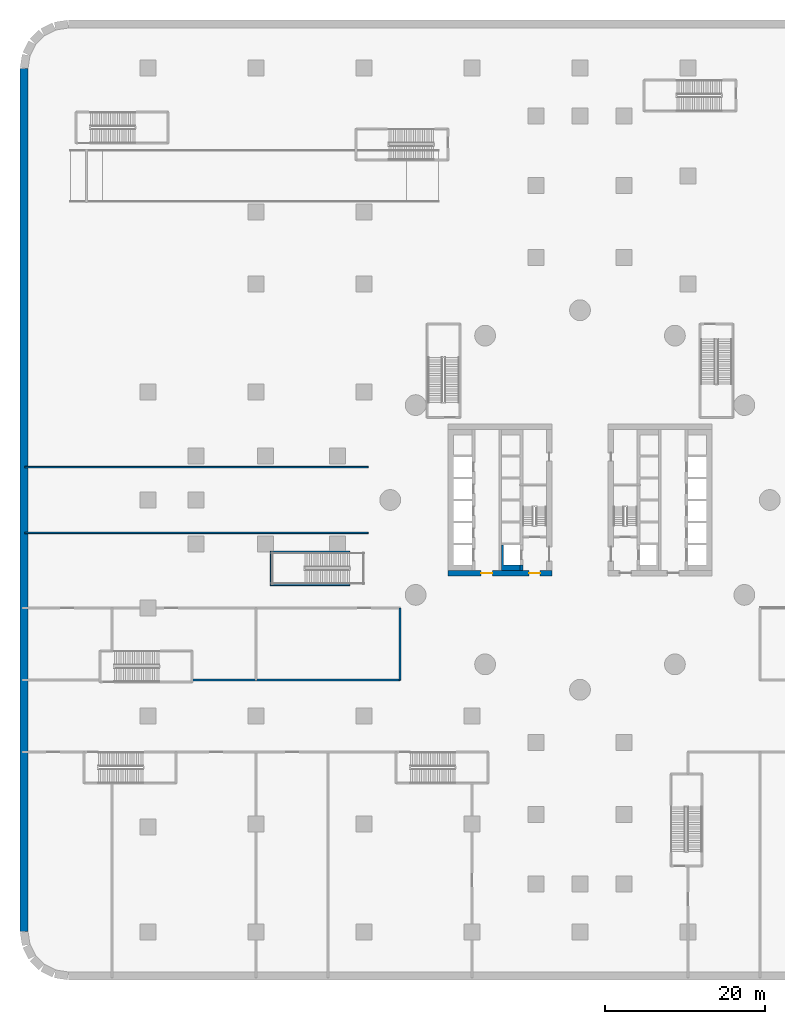
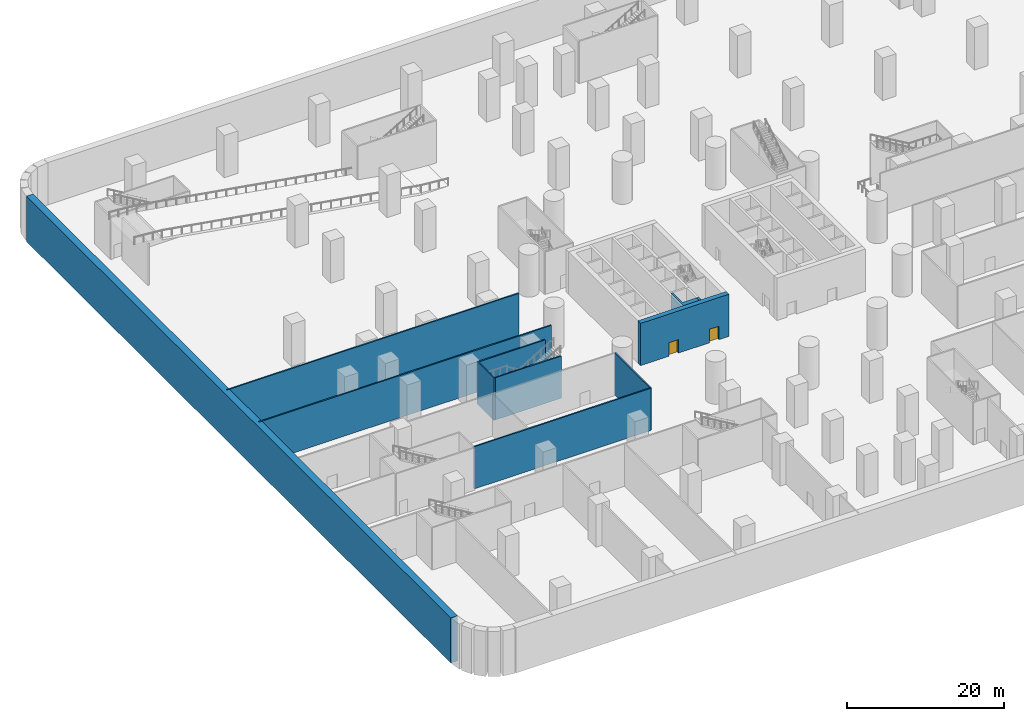
# One storey, part 3 of 30: 11 walls, 2 doors, 2 openings.
"""IFC4 building model written with IfcOpenShell, lengths in metres."""

import ifcopenshell
import ifcopenshell.guid

model = None  # the IFC model being written
_history = None  # IfcOwnerHistory: only IFC2X3 demands one
_inside = {}  # id of a spatial element -> (the spatial element, [elements in it])
_under = {}  # id of a project, library or spatial element -> (it, [spatial elements below it])
_declared = {}  # id of a project -> (the project, [libraries it declares])
_typed = {}  # id of a type object -> (the type object, [elements of that type])
_made_of = {}  # id of a material, layer set ... -> (it, [elements and type objects made of it])


def new_model(schema):
    """Start an empty IFC model of exactly this schema.

    Asked for "IFC4X3", IfcOpenShell would pick the latest addendum, in which some entities
    have other attributes; the version numbers below select the first issue.
    IFC2X3 requires an IfcOwnerHistory on every rooted entity: one is made here for all.
    """
    global model, _history
    if schema == "IFC4X3":
        model = ifcopenshell.file(schema_version=(4, 3, 0, 0))
    else:
        model = ifcopenshell.file(schema=schema)
    _inside.clear()
    _under.clear()
    _declared.clear()
    _typed.clear()
    _made_of.clear()
    _history = None
    if model.schema == "IFC2X3":
        org = make("IfcOrganization", Name="unknown")
        user = make(
            "IfcPersonAndOrganization",
            ThePerson=make("IfcPerson", FamilyName="unknown"),
            TheOrganization=org,
        )
        app = make(
            "IfcApplication",
            ApplicationDeveloper=org,
            Version="unknown",
            ApplicationFullName="unknown",
            ApplicationIdentifier="unknown",
        )
        _history = make(
            "IfcOwnerHistory",
            OwningUser=user,
            OwningApplication=app,
            ChangeAction="ADDED",
            CreationDate=0,
        )
    return model


def make(cls, **values):
    """One entity of the class cls with the attributes given. An attribute that is None is left unset."""
    return model.create_entity(
        cls, **{name: value for name, value in values.items() if value is not None}
    )


def rooted(cls, **values):
    """An entity with a GlobalId (a new one), such as an element, a storey or a relation."""
    return make(cls, GlobalId=ifcopenshell.guid.new(), OwnerHistory=_history, **values)


def si_unit(unit_type, name, prefix=None):
    """IfcSIUnit, for example si_unit("LENGTHUNIT", "METRE", prefix="MILLI")."""
    return make("IfcSIUnit", UnitType=unit_type, Prefix=prefix, Name=name)


def assignment(units):
    """IfcUnitAssignment: the units of a project."""
    return None if units is None else make("IfcUnitAssignment", Units=units)


def point(xyz):
    """IfcCartesianPoint."""
    return None if xyz is None else make("IfcCartesianPoint", Coordinates=xyz)


def direction(xyz):
    """IfcDirection."""
    return None if xyz is None else make("IfcDirection", DirectionRatios=xyz)


def frame(location, z_axis=None, x_axis=None):
    """IfcAxis2Placement3D, a coordinate frame: its origin and axes. An axis left out is left unset."""
    return make(
        "IfcAxis2Placement3D",
        Location=point(location),
        Axis=direction(z_axis),
        RefDirection=direction(x_axis),
    )


def frame_2d(location, x_axis=None):
    """IfcAxis2Placement2D, a coordinate frame in the plane: its origin and x axis."""
    return make(
        "IfcAxis2Placement2D", Location=point(location), RefDirection=direction(x_axis)
    )


def origin():
    """The frame at (0, 0, 0) with its axes left unset."""
    return frame((0.0, 0.0, 0.0))


def place(relative_to, where):
    """IfcLocalPlacement: puts the frame where relative to a parent placement (None: the world)."""
    return make(
        "IfcLocalPlacement", PlacementRelTo=relative_to, RelativePlacement=where
    )


def context(
    kind, dimensions, precision=None, world=None, true_north=None, identifier=None
):
    """IfcGeometricRepresentationContext, for example the 3D "Model" context."""
    return make(
        "IfcGeometricRepresentationContext",
        ContextIdentifier=identifier,
        ContextType=kind,
        CoordinateSpaceDimension=dimensions,
        Precision=precision,
        WorldCoordinateSystem=world,
        TrueNorth=true_north,
    )


def subcontext(parent, identifier, kind, view, scale=None):
    """IfcGeometricRepresentationSubContext, for example "Body" below "Model"."""
    return make(
        "IfcGeometricRepresentationSubContext",
        ContextIdentifier=identifier,
        ContextType=kind,
        ParentContext=parent,
        TargetScale=scale,
        TargetView=view,
    )


def project(units=None, contexts=None):
    """IfcProject with its units and contexts."""
    return rooted(
        "IfcProject",
        Name="project",
        RepresentationContexts=contexts,
        UnitsInContext=assignment(units),
    )


def spatial(cls, under=None, at=None, **own):
    """A site, building, storey or space (cls), placed at a placement, below another one or the project."""
    s = rooted(cls, ObjectPlacement=at, **own)
    if under is not None:
        _under.setdefault(under.id(), (under, []))[1].append(s)
    return s


def polyline(points):
    """IfcPolyline through the points."""
    return make("IfcPolyline", Points=[point(p) for p in points])


def profile(cls, at=None, kind="AREA", **sizes):
    """A parametric profile (cls). Its sizes go by their IFC names, for example OverallWidth=200.0."""
    return make(cls, ProfileType=kind, Position=at, **sizes)


def rectangle(**sizes):
    """IfcRectangleProfileDef."""
    return profile("IfcRectangleProfileDef", **sizes)


def outline(outer, holes=None, kind="AREA"):
    """IfcArbitraryClosedProfileDef: a profile drawn as a closed curve; with holes, ...WithVoids."""
    if holes is None:
        return make("IfcArbitraryClosedProfileDef", ProfileType=kind, OuterCurve=outer)
    return make(
        "IfcArbitraryProfileDefWithVoids",
        ProfileType=kind,
        OuterCurve=outer,
        InnerCurves=holes,
    )


def extrude(swept, where, along, depth):
    """IfcExtrudedAreaSolid: the profile swept, set in the frame where, extruded along a direction by depth."""
    return make(
        "IfcExtrudedAreaSolid",
        SweptArea=swept,
        Position=where,
        ExtrudedDirection=direction(along),
        Depth=depth,
    )


def shape(context_of_items, identifier, shape_type, items):
    """IfcShapeRepresentation: the items that make up one representation, for example the "Body"."""
    return make(
        "IfcShapeRepresentation",
        ContextOfItems=context_of_items,
        RepresentationIdentifier=identifier,
        RepresentationType=shape_type,
        Items=items,
    )


def material(Name=None, Category=None):
    """IfcMaterial."""
    return make("IfcMaterial", Name=Name, Category=Category)


def layer(
    of_material, thickness, ventilated=None, Name=None, Category=None, Priority=None
):
    """IfcMaterialLayer: one layer of a wall or slab, of a material (None: an air gap)."""
    return make(
        "IfcMaterialLayer",
        Material=of_material,
        LayerThickness=thickness,
        IsVentilated=ventilated,
        Name=Name,
        Category=Category,
        Priority=Priority,
    )


def layer_set(layers, Name=None):
    """IfcMaterialLayerSet."""
    return make("IfcMaterialLayerSet", MaterialLayers=layers, LayerSetName=Name)


def made_of(thing, what):
    """Note that an element or type object is made of a material, layer set ...; save() writes the relation."""
    if what is not None:
        _made_of.setdefault(what.id(), (what, []))[1].append(thing)
    return thing


def type_object(cls, material=None, **own):
    """A type object (cls), such as IfcWallType, which elements share."""
    return made_of(rooted(cls, **own), material)


def element(
    cls,
    number,
    at=None,
    inside=None,
    cuts=None,
    type_object=None,
    material=None,
    context=None,
    identifier="Body",
    shape_type=None,
    held_by="IfcProductDefinitionShape",
    body=None,
    shapes=None,
    **own,
):
    """One element of the class cls, such as IfcWall. Its Tag is "e" and its number.

    at: its placement. inside: the storey or other place that contains it. cuts: it is an
    opening in that element (IfcRelVoidsElement). A single representation is given by context,
    identifier, shape_type and body (its items); several are given by shapes. held_by: the class
    of the entity that holds the representations. save() writes the other relations.
    """
    e = rooted(cls, Tag="e%d" % number, ObjectPlacement=at, **own)
    if body is not None:
        shapes = [shape(context, identifier, shape_type, body)]
    if shapes is not None:
        e.Representation = make(held_by, Representations=shapes)
    if inside is not None:
        _inside.setdefault(inside.id(), (inside, []))[1].append(e)
    if cuts is not None:
        rooted(
            "IfcRelVoidsElement", RelatingBuildingElement=cuts, RelatedOpeningElement=e
        )
    if type_object is not None:
        _typed.setdefault(type_object.id(), (type_object, []))[1].append(e)
    return made_of(e, material)


def fill(opening, filler):
    """IfcRelFillsElement: the door or window that sits in an opening."""
    return rooted(
        "IfcRelFillsElement",
        RelatingOpeningElement=opening,
        RelatedBuildingElement=filler,
    )


def aggregate(whole, parts):
    """IfcRelAggregates: a whole, such as a stair, and the parts it consists of."""
    return rooted("IfcRelAggregates", RelatingObject=whole, RelatedObjects=parts)


def save(model, path):
    """Write the relations noted so far, then the file.

    IfcRelAggregates (storeys below a building ...), IfcRelContainedInSpatialStructure (elements
    in a storey), IfcRelDefinesByType, IfcRelAssociatesMaterial and IfcRelDeclares: one each for
    every whole, place, type object, material and project.
    """
    for whole, parts in _under.values():
        aggregate(whole, parts)
    for where, things in _inside.values():
        rooted(
            "IfcRelContainedInSpatialStructure",
            RelatedElements=things,
            RelatingStructure=where,
        )
    for kind, things in _typed.values():
        rooted("IfcRelDefinesByType", RelatedObjects=things, RelatingType=kind)
    for what, things in _made_of.values():
        rooted("IfcRelAssociatesMaterial", RelatedObjects=things, RelatingMaterial=what)
    for by, libraries in _declared.values():
        rooted("IfcRelDeclares", RelatingContext=by, RelatedDefinitions=libraries)
    model.write(path)


model = new_model("IFC4")

# Units and contexts
model_context = context("Model", 3, precision=1e-05, world=origin(), true_north=direction((0.0, 1.0)))
body_context = subcontext(model_context, "Body", "Model", "MODEL_VIEW")
ifc_project = project(units=[si_unit("LENGTHUNIT", "METRE"), si_unit("AREAUNIT", "SQUARE_METRE"), si_unit("VOLUMEUNIT", "CUBIC_METRE"), si_unit("PLANEANGLEUNIT", "RADIAN"), si_unit("MASSUNIT", "GRAM", prefix="KILO")], contexts=[model_context])

# Site, building, storey
site_placement = place(None, origin())
site = spatial("IfcSite", under=ifc_project, at=site_placement, CompositionType="ELEMENT")
building_placement = place(site_placement, origin())
building = spatial("IfcBuilding", under=site, at=building_placement, Name="Tamarind Cross Interchange Tower", CompositionType="ELEMENT")
storey_placement = place(building_placement, frame((0.0, 0.0, -14.0)))
storey = spatial("IfcBuildingStorey", under=building, at=storey_placement, Name="B2", CompositionType="ELEMENT", Elevation=-14.0)

# Wall
ifc_material_1 = material(Name="Concrete C40", Category="concrete")
ifc_layer_1 = layer(ifc_material_1, 1.0)
ifc_layer_set_1 = layer_set([ifc_layer_1], Name="Concrete C40")
wall_type_1 = type_object("IfcWallType", Name="Basement wall 1000 Concrete C40", PredefinedType="SOLIDWALL", material=ifc_layer_set_1)
wall_1_placement = place(storey_placement, frame((-69.5, -53.931396484375, -0.449951171875), z_axis=(0.0, 0.0, 1.0), x_axis=(0.0, 1.0, 0.0)))
element("IfcWall", 1, at=wall_1_placement, inside=storey, type_object=wall_type_1, Name="Basement wall B2-7", PredefinedType="SOLIDWALL", context=body_context, shape_type="SweptSolid", body=[
    extrude(rectangle(XDim=107.86279296875, YDim=1.0, at=frame_2d((53.931396484375, 0.0))), origin(), (0.0, 0.0, 1.0), 7.0),
])

# Wall, openings, doors
ifc_material_2 = material(Name="Concrete C80", Category="concrete")
ifc_layer_2 = layer(ifc_material_2, 0.699951171875)
ifc_layer_set_2 = layer_set([ifc_layer_2], Name="Concrete C80")
wall_type_2 = type_object("IfcWallType", Name="Core wall 700 mm Concrete C80", PredefinedType="SHEAR", material=ifc_layer_set_2)
wall_2_placement = place(storey_placement, frame((-16.5, -9.14990234375, 0.0), z_axis=(0.0, 0.0, 1.0), x_axis=(1.0, 0.0, 0.0)))
wall_2 = element("IfcWall", 2, at=wall_2_placement, inside=storey, type_object=wall_type_2, Name="Core wall CWL-B2-W-S", PredefinedType="SHEAR", context=body_context, shape_type="SweptSolid", body=[
    extrude(rectangle(XDim=13.0, YDim=0.699951171875, at=frame_2d((6.5, 0.0))), origin(), (0.0, 0.0, 1.0), 6.550048828125),
])
opening_1_placement = place(wall_2_placement, frame((4.14990234375, 0.0, 0.0)))
opening_1 = element("IfcOpeningElement", 3, at=opening_1_placement, cuts=wall_2, Name="Opening DCW1", PredefinedType="OPENING", context=body_context, shape_type="SweptSolid", body=[
    extrude(rectangle(XDim=1.39990234375, YDim=2.10009765625, at=frame_2d((0.699951171875, 1.050048828125))), frame((0.0, 0.35986328125, 0.0), z_axis=(0.0, -1.0, 0.0), x_axis=(1.0, 0.0, 0.0)), (0.0, 0.0, 1.0), 0.719970703125),
])
opening_2_placement = place(wall_2_placement, frame((10.125, 0.0, 0.0)))
opening_2 = element("IfcOpeningElement", 4, at=opening_2_placement, cuts=wall_2, Name="Opening DCWF", PredefinedType="OPENING", context=body_context, shape_type="SweptSolid", body=[
    extrude(rectangle(XDim=1.39990234375, YDim=2.10009765625, at=frame_2d((0.699951171875, 1.050048828125))), frame((0.0, 0.35986328125, 0.0), z_axis=(0.0, -1.0, 0.0), x_axis=(1.0, 0.0, 0.0)), (0.0, 0.0, 1.0), 0.719970703125),
])
ifc_material_3 = material(Name="Steel, fire-resisting", Category="steel")
door_type = type_object("IfcDoorType", Name="Core fire door 1400 x 2100 FD90", OperationType="SINGLE_SWING_LEFT", PredefinedType="DOOR", material=ifc_material_3)
door_1_placement = place(opening_1_placement, origin())
door_1 = element("IfcDoor", 5, at=door_1_placement, inside=storey, type_object=door_type, Name="B2 lift lobby door", OperationType="SINGLE_SWING_LEFT", OverallHeight=2.10009765625, OverallWidth=1.39990234375, PredefinedType="DOOR", context=body_context, shape_type="SweptSolid", body=[
    extrude(rectangle(XDim=1.39990234375, YDim=2.10009765625, at=frame_2d((0.699951171875, 1.050048828125))), frame((0.0, 0.02490234375, 0.0), z_axis=(0.0, -1.0, 0.0), x_axis=(1.0, 0.0, 0.0)), (0.0, 0.0, 1.0), 0.050048828125),
])
fill(opening_1, door_1)
door_2_placement = place(opening_2_placement, origin())
door_2 = element("IfcDoor", 6, at=door_2_placement, inside=storey, type_object=door_type, Name="B2 firefighting lobby end door", OperationType="SINGLE_SWING_LEFT", OverallHeight=2.10009765625, OverallWidth=1.39990234375, PredefinedType="DOOR", context=body_context, shape_type="SweptSolid", body=[
    extrude(rectangle(XDim=1.39990234375, YDim=2.10009765625, at=frame_2d((0.699951171875, 1.050048828125))), frame((0.0, 0.02490234375, 0.0), z_axis=(0.0, -1.0, 0.0), x_axis=(1.0, 0.0, 0.0)), (0.0, 0.0, 1.0), 0.050048828125),
])
fill(opening_2, door_2)

# Walls
ifc_layer_3 = layer(ifc_material_2, 0.35009765625)
ifc_layer_set_3 = layer_set([ifc_layer_3], Name="Concrete C80")
wall_type_3 = type_object("IfcWallType", Name="Core web wall 350 mm Concrete C80", PredefinedType="SHEAR", material=ifc_layer_set_3)
wall_3_placement = place(storey_placement, origin())
element("IfcWall", 7, at=wall_3_placement, inside=storey, type_object=wall_type_3, Name="Core wall CWL-B2-W-BS", PredefinedType="SHEAR", context=body_context, shape_type="SweptSolid", body=[
    extrude(outline(polyline([(-7.5, -8.125), (-9.550048828125, -8.125), (-9.550048828125, -5.625), (-9.800048828125, -5.625), (-9.800048828125, -8.125), (-9.800048828125, -8.800048828125), (-7.5, -8.800048828125), (-7.5, -8.125)])), origin(), (0.0, 0.0, 1.0), 6.550048828125),
])
wall_4_placement = place(storey_placement, frame((-7.324951171875, -8.800048828125, 0.0), z_axis=(0.0, 0.0, 1.0), x_axis=(0.0, 1.0, 0.0)))
element("IfcWall", 8, at=wall_4_placement, inside=storey, type_object=wall_type_3, Name="Core wall CWL-B2-W-BW", PredefinedType="SHEAR", context=body_context, shape_type="SweptSolid", body=[
    extrude(rectangle(XDim=0.675048828125, YDim=0.35009765625, at=frame_2d((0.33740234375, 0.0))), origin(), (0.0, 0.0, 1.0), 6.550048828125),
])
ifc_material_4 = material(Name="Masonry partition, fire-rated", Category="masonry")
ifc_layer_4 = layer(ifc_material_4, 0.199951171875)
ifc_layer_set_4 = layer_set([ifc_layer_4], Name="Masonry partition, fire-rated")
wall_type_4 = type_object("IfcWallType", Name="Fire partition 200 EI 120", PredefinedType="PARTITIONING", material=ifc_layer_set_4)
wall_5_placement = place(storey_placement, frame((-48.469970703125, -22.5, 0.0), z_axis=(0.0, 0.0, 1.0), x_axis=(1.0, 0.0, 0.0)))
element("IfcWall", 9, at=wall_5_placement, inside=storey, type_object=wall_type_4, Name="B2 partition 59", PredefinedType="PARTITIONING", context=body_context, shape_type="SweptSolid", body=[
    extrude(rectangle(XDim=25.969970703125, YDim=0.199951171875, at=frame_2d((12.98486328125, 0.0))), origin(), (0.0, 0.0, 1.0), 6.550048828125),
])
wall_6_placement = place(storey_placement, frame((-22.5, -22.5, 0.0), z_axis=(0.0, 0.0, 1.0), x_axis=(0.0, 1.0, 0.0)))
element("IfcWall", 10, at=wall_6_placement, inside=storey, type_object=wall_type_4, Name="B2 partition 61", PredefinedType="PARTITIONING", context=body_context, shape_type="SweptSolid", body=[
    extrude(rectangle(XDim=9.0, YDim=0.199951171875, at=frame_2d((4.5, 0.0))), origin(), (0.0, 0.0, 1.0), 6.550048828125),
])
ifc_layer_5 = layer(ifc_material_1, 0.199951171875)
ifc_layer_set_5 = layer_set([ifc_layer_5], Name="Concrete C40")
wall_type_5 = type_object("IfcWallType", Name="Platform edge wall 200 EI 90", PredefinedType="PARTITIONING", material=ifc_layer_set_5)
for number, where, z_axis, x_axis, name in (
    (11, (-69.39990234375, 4.10009765625, 0.0), (0.0, 0.0, 1.0), (1.0, 0.0, 0.0), "B2 platform edge wall 78"),
    (12, (-69.39990234375, -4.10009765625, 0.0), (0.0, 0.0, 1.0), (1.0, 0.0, 0.0), "B2 platform edge wall 79"),
):
    element("IfcWall", number, at=place(storey_placement, frame(where, z_axis=z_axis, x_axis=x_axis)), inside=storey, type_object=wall_type_5, Name=name, PredefinedType="PARTITIONING", context=body_context, shape_type="SweptSolid", body=[
        extrude(rectangle(XDim=42.89990234375, YDim=0.199951171875, at=frame_2d((21.449951171875, 0.0))), origin(), (0.0, 0.0, 1.0), 6.550048828125),
    ])
ifc_layer_6 = layer(ifc_material_1, 0.199951171875)
ifc_layer_set_6 = layer_set([ifc_layer_6], Name="Concrete C40")
wall_type_6 = type_object("IfcWallType", Name="Stair shaft wall 200", PredefinedType="SOLIDWALL", material=ifc_layer_set_6)
for number, where, z_axis, x_axis, name in (
    (13, (-28.800048828125, -6.5, 0.0), (0.0, 0.0, 1.0), (-1.0, 0.0, 0.0), "public stair MS-W shaft wall L"),
    (14, (-28.800048828125, -10.60009765625, 0.0), (0.0, 0.0, 1.0), (-1.0, 0.0, 0.0), "public stair MS-W shaft wall R"),
):
    element("IfcWall", number, at=place(storey_placement, frame(where, z_axis=z_axis, x_axis=x_axis)), inside=storey, type_object=wall_type_6, Name=name, PredefinedType="SOLIDWALL", context=body_context, shape_type="SweptSolid", body=[
        extrude(rectangle(XDim=9.699951171875, YDim=0.199951171875, at=frame_2d((4.85009765625, 0.0))), origin(), (0.0, 0.0, 1.0), 6.550048828125),
    ])
wall_7_placement = place(storey_placement, frame((-38.60009765625, -6.39990234375, 0.0), z_axis=(0.0, 0.0, 1.0), x_axis=(0.0, -1.0, 0.0)))
element("IfcWall", 15, at=wall_7_placement, inside=storey, type_object=wall_type_6, Name="public stair MS-W shaft wall F", PredefinedType="SOLIDWALL", context=body_context, shape_type="SweptSolid", body=[
    extrude(rectangle(XDim=4.300048828125, YDim=0.199951171875, at=frame_2d((2.14990234375, 0.0))), origin(), (0.0, 0.0, 1.0), 6.550048828125),
])

save(model, "model.ifc")
